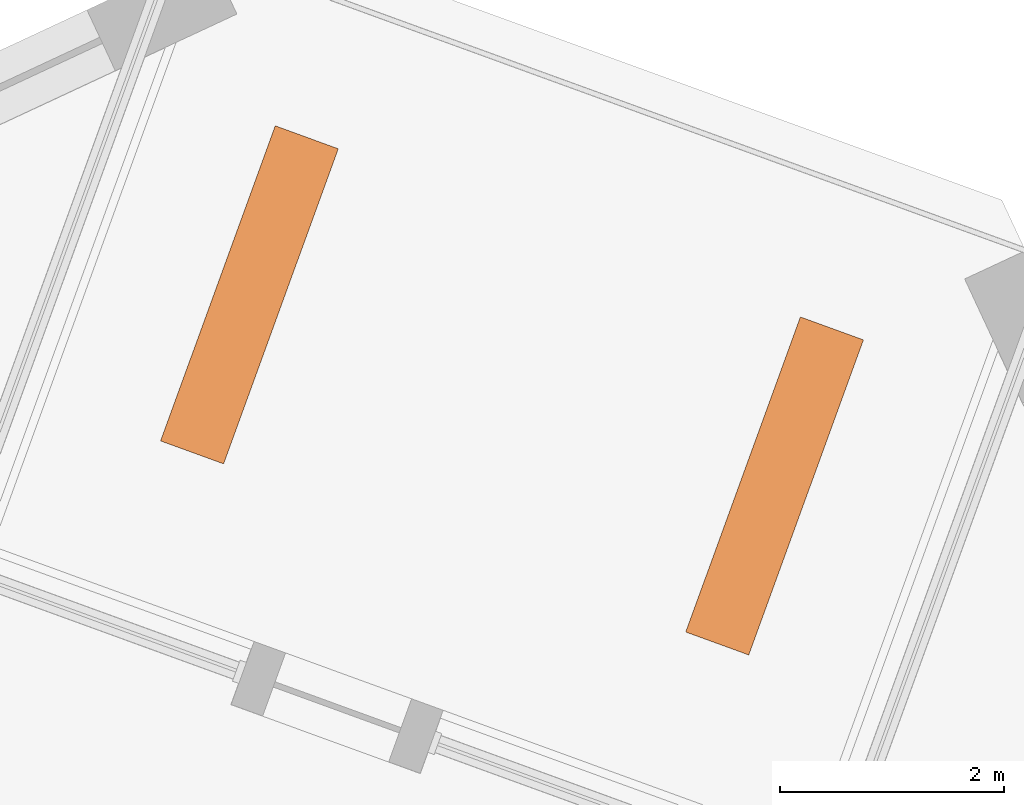
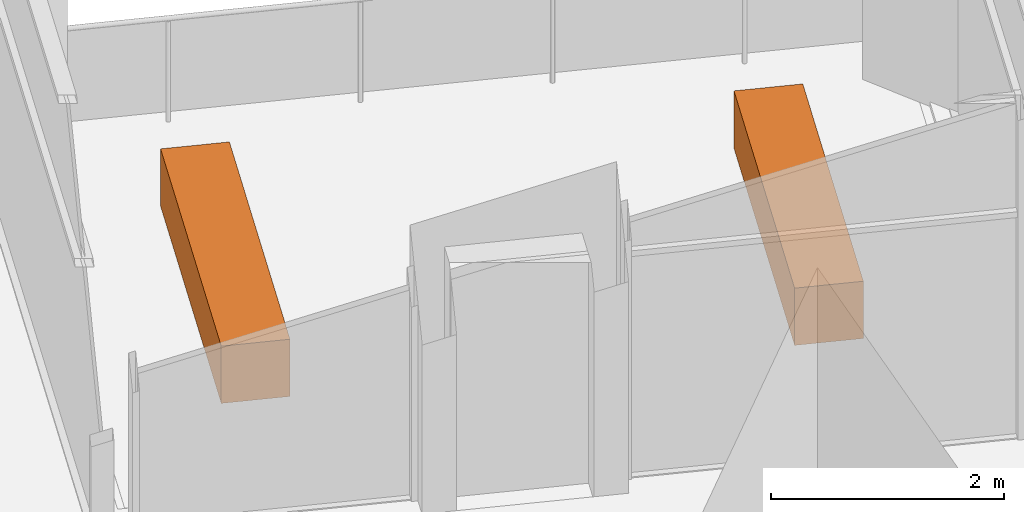
# One storey, part 12 of 12: 2 proxies.
"""IFC4 building model written with IfcOpenShell, lengths in metres."""

from ifc_helpers import new_model, si_unit, direction, frame, origin, origin_2d, place, context, subcontext, project, spatial, rectangle, extrude, element, save


model = new_model("IFC4")

# Units and contexts
model_context = context("Model", 3, precision=1e-05, world=origin(), true_north=direction((0.0, 1.0)))
body_context = subcontext(model_context, "Body", "Model", "MODEL_VIEW")
ifc_project = project(units=[si_unit("LENGTHUNIT", "METRE"), si_unit("AREAUNIT", "SQUARE_METRE"), si_unit("VOLUMEUNIT", "CUBIC_METRE"), si_unit("PLANEANGLEUNIT", "RADIAN"), si_unit("MASSUNIT", "GRAM", prefix="KILO")], contexts=[model_context])

# Site, building, storey
site_placement = place(None, origin())
site = spatial("IfcSite", under=ifc_project, at=site_placement, CompositionType="ELEMENT")
building_placement = place(site_placement, origin())
building = spatial("IfcBuilding", under=site, at=building_placement, Name="Dilmun Exchange Tower", CompositionType="ELEMENT")
storey_placement = place(building_placement, frame((0.0, 0.0, 122.10009765625)))
storey = spatial("IfcBuildingStorey", under=building, at=storey_placement, Name="L28", CompositionType="ELEMENT", Elevation=122.10009765625)

# Proxies
for number, where, z_axis, x_axis, name in (
    (1, (15.435791015625, 30.96484375, -0.000244140625), (0.0, 0.0, 1.0), (0.342020143326, 0.939692620786, 0.0), "PLANTER Ghaf tree L28.1"),
    (2, (10.7373046875, 32.6748046875, -0.000244140625), (0.0, 0.0, 1.0), (0.342020143326, 0.939692620786, 0.0), "PLANTER Ghaf tree L28.2"),
):
    element("IfcBuildingElementProxy", number, at=place(storey_placement, frame(where, z_axis=z_axis, x_axis=x_axis)), inside=storey, Name=name, ObjectType="PLANTER", PredefinedType="USERDEFINED", context=body_context, shape_type="SweptSolid", body=[
        extrude(rectangle(XDim=3.0, YDim=0.60009765625, at=origin_2d()), origin(), (0.0, 0.0, 1.0), 0.60009765625),
    ])

save(model, "model.ifc")
